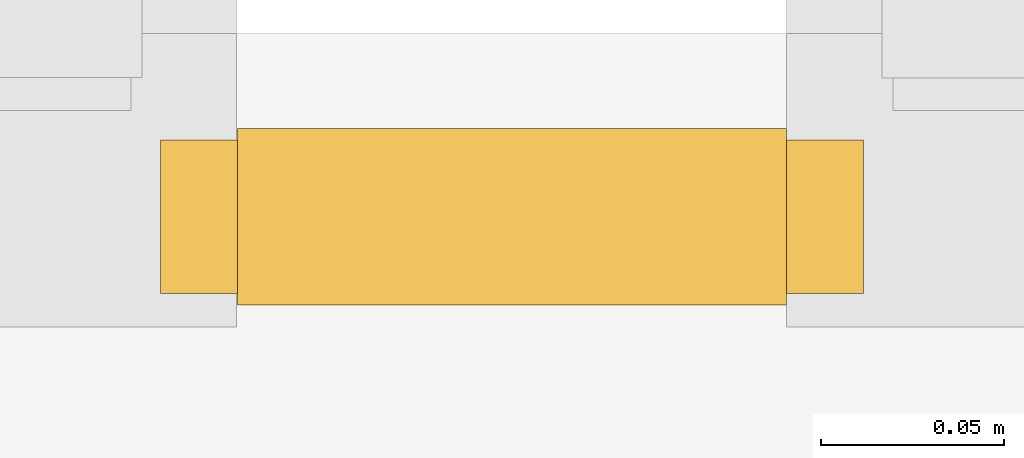
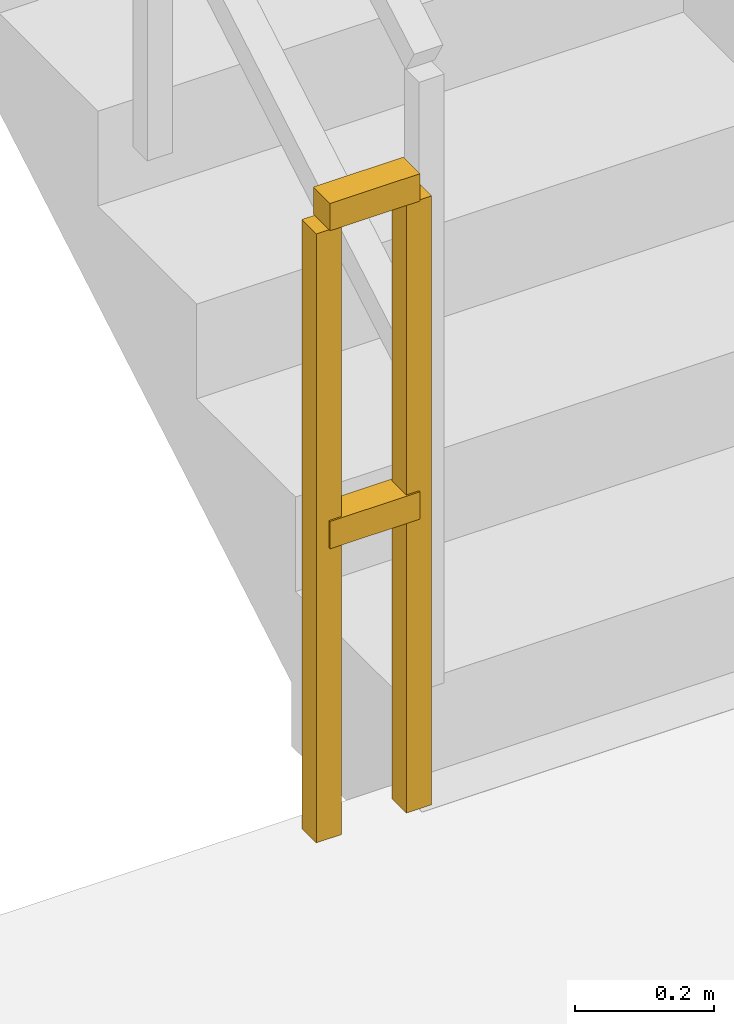
# One storey, part 7 of 12: 1 railing.
"""IFC4 building model written with IfcOpenShell, lengths in metres."""

from ifc_helpers import new_model, si_unit, direction, frame, origin, origin_2d, place, context, subcontext, project, spatial, rectangle, extrude, material, type_object, element, save


model = new_model("IFC4")

# Units and contexts
model_context = context("Model", 3, precision=1e-05, world=origin(), true_north=direction((0.0, 1.0)))
body_context = subcontext(model_context, "Body", "Model", "MODEL_VIEW")
ifc_project = project(units=[si_unit("LENGTHUNIT", "METRE"), si_unit("AREAUNIT", "SQUARE_METRE"), si_unit("VOLUMEUNIT", "CUBIC_METRE"), si_unit("PLANEANGLEUNIT", "RADIAN"), si_unit("MASSUNIT", "GRAM", prefix="KILO")], contexts=[model_context])

# Site, building, storey
site_placement = place(None, origin())
site = spatial("IfcSite", under=ifc_project, at=site_placement, CompositionType="ELEMENT")
building_placement = place(site_placement, origin())
building = spatial("IfcBuilding", under=site, at=building_placement, Name="Apsidion Concourse Tower", CompositionType="ELEMENT")
storey_placement = place(building_placement, frame((0.0, 0.0, 83.0)))
storey = spatial("IfcBuildingStorey", under=building, at=storey_placement, Name="L18", CompositionType="ELEMENT", Elevation=83.0)

# Railing
ifc_material = material(Name="Brushed stainless steel 316", Category="steel")
railing_type = type_object("IfcRailingType", Name="RL-GUARD-1100", PredefinedType="GUARDRAIL", material=ifc_material)
railing_placement = place(storey_placement, frame((-5.5, 2.949951171875, 0.0)))
element("IfcRailing", 1, at=railing_placement, inside=storey, type_object=railing_type, Name="L18 ST1 stair guard 4", PredefinedType="GUARDRAIL", context=body_context, shape_type="SweptSolid", body=[
    extrude(rectangle(XDim=0.048095703125, YDim=0.048095703125, at=origin_2d()), frame((0.0, 0.0, 1.09619140625), z_axis=(-1.0, 0.0, 0.0), x_axis=(0.0, -1.0, 0.0)), (0.0, 0.0, 1.0), 0.14990234375),
    extrude(rectangle(XDim=0.048095703125, YDim=0.048095703125, at=origin_2d()), frame((0.0, 0.0, 0.5361328125), z_axis=(-1.0, 0.0, 0.0), x_axis=(0.0, -1.0, 0.0)), (0.0, 0.0, 1.0), 0.14990234375),
    extrude(rectangle(XDim=0.0419921875, YDim=0.0419921875, at=origin_2d()), origin(), (0.0, 0.0, 1.0), 1.072021484375),
    extrude(rectangle(XDim=0.0419921875, YDim=0.0419921875, at=origin_2d()), frame((-0.14990234375, 0.0, 0.0)), (0.0, 0.0, 1.0), 1.072021484375),
])

save(model, "model.ifc")
